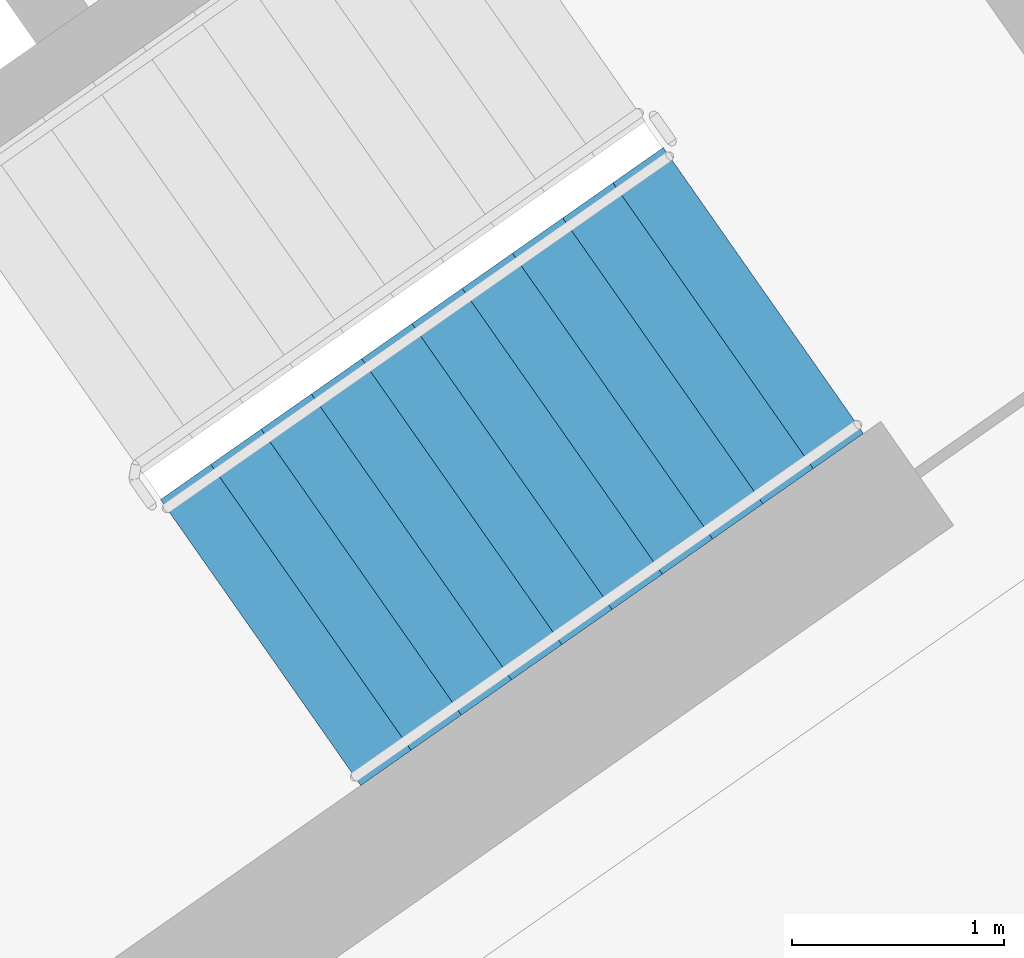
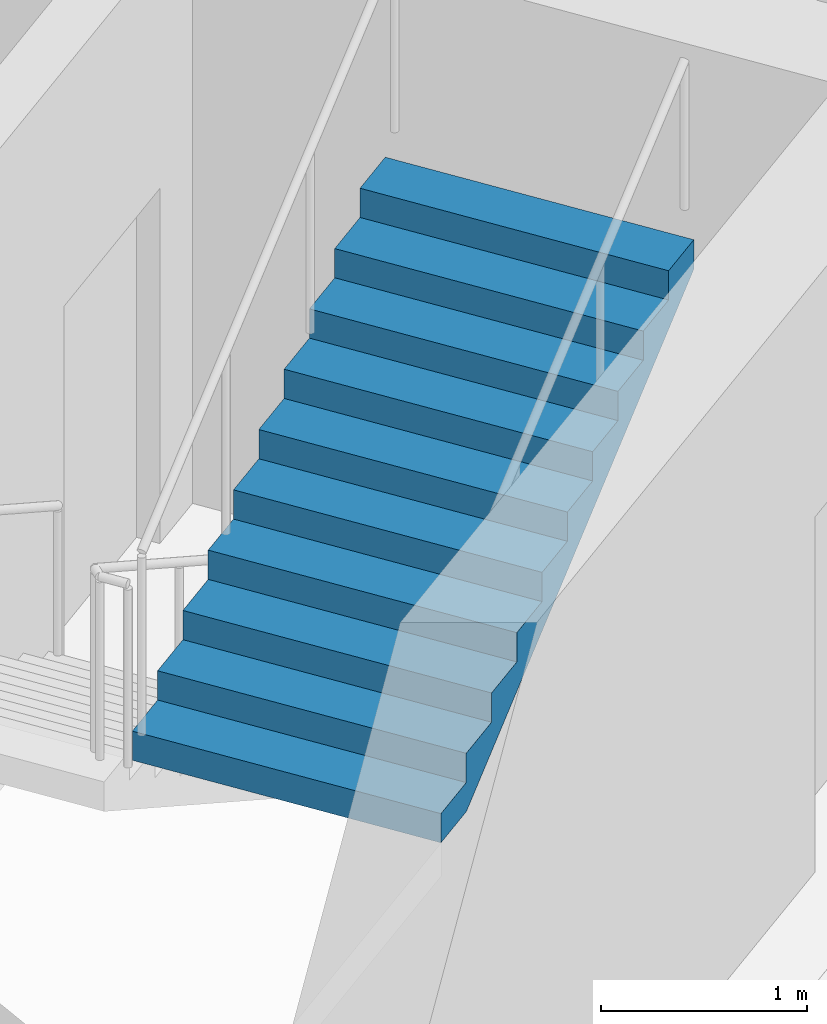
# One storey, part 12 of 30: 1 stair flight, 1 element without a shape of its own.
"""IFC4 building model written with IfcOpenShell, lengths in metres."""

from ifc_helpers import new_model, si_unit, direction, frame, origin, place, context, subcontext, project, spatial, faceted_brep, material, type_object, element, aggregate, save


model = new_model("IFC4")

# Units and contexts
model_context = context("Model", 3, precision=1e-05, world=origin(), true_north=direction((0.0, 1.0)))
body_context = subcontext(model_context, "Body", "Model", "MODEL_VIEW")
ifc_project = project(units=[si_unit("LENGTHUNIT", "METRE"), si_unit("AREAUNIT", "SQUARE_METRE"), si_unit("VOLUMEUNIT", "CUBIC_METRE"), si_unit("PLANEANGLEUNIT", "RADIAN"), si_unit("MASSUNIT", "GRAM", prefix="KILO")], contexts=[model_context])

# Site, building, storey
site_placement = place(None, origin())
site = spatial("IfcSite", under=ifc_project, at=site_placement, CompositionType="ELEMENT")
building_placement = place(site_placement, origin())
building = spatial("IfcBuilding", under=site, at=building_placement, Name="Qamariyya Broadcast Tower", CompositionType="ELEMENT")
storey_placement = place(building_placement, frame((0.0, 0.0, 203.699951171875)))
storey = spatial("IfcBuildingStorey", under=building, at=storey_placement, Name="L48", CompositionType="ELEMENT", Elevation=203.699951171875)

# Stair, stair flight
ifc_material = material(Name="Concrete C50/60", Category="concrete")
stair_type = type_object("IfcStairType", Name="Exit stair 22 risers of 173 mm", PredefinedType="HALF_TURN_STAIR", material=ifc_material)
stair_placement = place(storey_placement, origin())
stair = element("IfcStair", 1, at=stair_placement, inside=storey, type_object=stair_type, Name="L48 Stair E1", PredefinedType="HALF_TURN_STAIR")
stair_flight_type = type_object("IfcStairFlightType", Name="Exit stair flight 11 risers of 173 mm", PredefinedType="STRAIGHT", material=ifc_material)
stair_flight_placement = place(storey_placement, frame((44.693359375, -58.64599609375, 1.900146484375), z_axis=(0.0, 0.0, 1.0), x_axis=(0.819152044289, 0.573576436351, 0.0)))
stair_flight = element("IfcStairFlight", 2, at=stair_flight_placement, type_object=stair_flight_type, Name="ST-E1 flight 2", NumberOfRisers=11, NumberOfTreads=10, PredefinedType="STRAIGHT", RiserHeight=0.172727273, TreadLength=0.29, context=body_context, shape_type="Brep", body=[
    faceted_brep([(0.0, 0.824951171875, 0.0), (0.0, 0.824951171875, 0.172607421875), (0.2900390625, 0.824951171875, 0.172607421875), (0.2900390625, 0.824951171875, 0.345458984375), (0.580078125, 0.824951171875, 0.345458984375), (0.580078125, 0.824951171875, 0.51806640625), (0.8701171875, 0.824951171875, 0.51806640625), (0.8701171875, 0.824951171875, 0.69091796875), (1.159912109375, 0.824951171875, 0.69091796875), (1.159912109375, 0.824951171875, 0.863525390625), (1.449951171875, 0.824951171875, 0.863525390625), (1.449951171875, 0.824951171875, 1.036376953125), (1.739990234375, 0.824951171875, 1.036376953125), (1.739990234375, 0.824951171875, 1.208984375), (2.030029296875, 0.824951171875, 1.208984375), (2.030029296875, 0.824951171875, 1.3818359375), (2.320068359375, 0.824951171875, 1.3818359375), (2.320068359375, 0.824951171875, 1.554443359375), (2.610107421875, 0.824951171875, 1.554443359375), (2.610107421875, 0.824951171875, 1.727294921875), (2.89990234375, 0.824951171875, 1.727294921875), (2.89990234375, 0.824951171875, 1.552734375), (0.29296875, 0.824951171875, 0.0), (0.29296875, -0.824951171875, 0.0), (2.89990234375, -0.824951171875, 1.552734375), (2.89990234375, -0.824951171875, 1.727294921875), (2.610107421875, -0.824951171875, 1.727294921875), (2.610107421875, -0.824951171875, 1.554443359375), (2.320068359375, -0.824951171875, 1.554443359375), (2.320068359375, -0.824951171875, 1.3818359375), (2.030029296875, -0.824951171875, 1.3818359375), (2.030029296875, -0.824951171875, 1.208984375), (1.739990234375, -0.824951171875, 1.208984375), (1.739990234375, -0.824951171875, 1.036376953125), (1.449951171875, -0.824951171875, 1.036376953125), (1.449951171875, -0.824951171875, 0.863525390625), (1.159912109375, -0.824951171875, 0.863525390625), (1.159912109375, -0.824951171875, 0.69091796875), (0.8701171875, -0.824951171875, 0.69091796875), (0.8701171875, -0.824951171875, 0.51806640625), (0.580078125, -0.824951171875, 0.51806640625), (0.580078125, -0.824951171875, 0.345458984375), (0.2900390625, -0.824951171875, 0.345458984375), (0.2900390625, -0.824951171875, 0.172607421875), (0.0, -0.824951171875, 0.172607421875), (0.0, -0.824951171875, 0.0), (0.0, 0.10009765625, 0.0), (0.0, 0.086669921875, 0.0), (0.0, 0.0732421875, 0.0), (0.0, 0.06005859375, 0.0), (0.0, 0.046630859375, 0.0), (0.0, 0.033447265625, 0.0), (0.0, 0.02001953125, 0.0), (0.0, 0.006591796875, 0.0), (0.0, -0.006591796875, 0.0), (0.0, -0.02001953125, 0.0), (0.0, -0.033447265625, 0.0), (0.0, -0.046630859375, 0.0), (0.0, -0.06005859375, 0.0), (0.0, -0.0732421875, 0.0), (0.0, -0.086669921875, 0.0), (0.0, -0.10009765625, 0.0), (0.0, -0.10009765625, 0.172607421875), (0.0, -0.086669921875, 0.172607421875), (0.0, -0.0732421875, 0.172607421875), (0.0, -0.06005859375, 0.172607421875), (0.0, -0.046630859375, 0.172607421875), (0.0, -0.033447265625, 0.172607421875), (0.0, -0.02001953125, 0.172607421875), (0.0, -0.006591796875, 0.172607421875), (0.0, 0.006591796875, 0.172607421875), (0.0, 0.02001953125, 0.172607421875), (0.0, 0.033447265625, 0.172607421875), (0.0, 0.046630859375, 0.172607421875), (0.0, 0.06005859375, 0.172607421875), (0.0, 0.0732421875, 0.172607421875), (0.0, 0.086669921875, 0.172607421875), (0.0, 0.10009765625, 0.172607421875), (0.2900390625, -0.10009765625, 0.172607421875), (0.2900390625, -0.086669921875, 0.172607421875), (0.2900390625, -0.0732421875, 0.172607421875), (0.2900390625, -0.06005859375, 0.172607421875), (0.2900390625, -0.046630859375, 0.172607421875), (0.2900390625, -0.033447265625, 0.172607421875), (0.2900390625, -0.02001953125, 0.172607421875), (0.2900390625, -0.006591796875, 0.172607421875), (0.2900390625, 0.006591796875, 0.172607421875), (0.2900390625, 0.02001953125, 0.172607421875), (0.2900390625, 0.033447265625, 0.172607421875), (0.2900390625, 0.046630859375, 0.172607421875), (0.2900390625, 0.06005859375, 0.172607421875), (0.2900390625, 0.0732421875, 0.172607421875), (0.2900390625, 0.086669921875, 0.172607421875), (0.2900390625, 0.10009765625, 0.172607421875), (0.2900390625, -0.10009765625, 0.345458984375), (0.2900390625, -0.086669921875, 0.345458984375), (0.2900390625, -0.0732421875, 0.345458984375), (0.2900390625, -0.06005859375, 0.345458984375), (0.2900390625, -0.046630859375, 0.345458984375), (0.2900390625, -0.033447265625, 0.345458984375), (0.2900390625, -0.02001953125, 0.345458984375), (0.2900390625, -0.006591796875, 0.345458984375), (0.2900390625, 0.006591796875, 0.345458984375), (0.2900390625, 0.02001953125, 0.345458984375), (0.2900390625, 0.033447265625, 0.345458984375), (0.2900390625, 0.046630859375, 0.345458984375), (0.2900390625, 0.06005859375, 0.345458984375), (0.2900390625, 0.0732421875, 0.345458984375), (0.2900390625, 0.086669921875, 0.345458984375), (0.2900390625, 0.10009765625, 0.345458984375), (0.580078125, -0.10009765625, 0.345458984375), (0.580078125, -0.086669921875, 0.345458984375), (0.580078125, -0.0732421875, 0.345458984375), (0.580078125, -0.06005859375, 0.345458984375), (0.580078125, -0.046630859375, 0.345458984375), (0.580078125, -0.033447265625, 0.345458984375), (0.580078125, -0.02001953125, 0.345458984375), (0.580078125, -0.006591796875, 0.345458984375), (0.580078125, 0.006591796875, 0.345458984375), (0.580078125, 0.02001953125, 0.345458984375), (0.580078125, 0.033447265625, 0.345458984375), (0.580078125, 0.046630859375, 0.345458984375), (0.580078125, 0.06005859375, 0.345458984375), (0.580078125, 0.0732421875, 0.345458984375), (0.580078125, 0.086669921875, 0.345458984375), (0.580078125, 0.10009765625, 0.345458984375), (0.580078125, -0.10009765625, 0.51806640625), (0.580078125, -0.086669921875, 0.51806640625), (0.580078125, -0.0732421875, 0.51806640625), (0.580078125, -0.06005859375, 0.51806640625), (0.580078125, -0.046630859375, 0.51806640625), (0.580078125, -0.033447265625, 0.51806640625), (0.580078125, -0.02001953125, 0.51806640625), (0.580078125, -0.006591796875, 0.51806640625), (0.580078125, 0.006591796875, 0.51806640625), (0.580078125, 0.02001953125, 0.51806640625), (0.580078125, 0.033447265625, 0.51806640625), (0.580078125, 0.046630859375, 0.51806640625), (0.580078125, 0.06005859375, 0.51806640625), (0.580078125, 0.0732421875, 0.51806640625), (0.580078125, 0.086669921875, 0.51806640625), (0.580078125, 0.10009765625, 0.51806640625), (0.8701171875, -0.10009765625, 0.51806640625), (0.8701171875, -0.086669921875, 0.51806640625), (0.8701171875, -0.0732421875, 0.51806640625), (0.8701171875, -0.06005859375, 0.51806640625), (0.8701171875, -0.046630859375, 0.51806640625), (0.8701171875, -0.033447265625, 0.51806640625), (0.8701171875, -0.02001953125, 0.51806640625), (0.8701171875, -0.006591796875, 0.51806640625), (0.8701171875, 0.006591796875, 0.51806640625), (0.8701171875, 0.02001953125, 0.51806640625), (0.8701171875, 0.033447265625, 0.51806640625), (0.8701171875, 0.046630859375, 0.51806640625), (0.8701171875, 0.06005859375, 0.51806640625), (0.8701171875, 0.0732421875, 0.51806640625), (0.8701171875, 0.086669921875, 0.51806640625), (0.8701171875, 0.10009765625, 0.51806640625), (0.8701171875, -0.10009765625, 0.69091796875), (0.8701171875, -0.086669921875, 0.69091796875), (0.8701171875, -0.0732421875, 0.69091796875), (0.8701171875, -0.06005859375, 0.69091796875), (0.8701171875, -0.046630859375, 0.69091796875), (0.8701171875, -0.033447265625, 0.69091796875), (0.8701171875, -0.02001953125, 0.69091796875), (0.8701171875, -0.006591796875, 0.69091796875), (0.8701171875, 0.006591796875, 0.69091796875), (0.8701171875, 0.02001953125, 0.69091796875), (0.8701171875, 0.033447265625, 0.69091796875), (0.8701171875, 0.046630859375, 0.69091796875), (0.8701171875, 0.06005859375, 0.69091796875), (0.8701171875, 0.0732421875, 0.69091796875), (0.8701171875, 0.086669921875, 0.69091796875), (0.8701171875, 0.10009765625, 0.69091796875), (1.159912109375, -0.10009765625, 0.69091796875), (1.159912109375, -0.086669921875, 0.69091796875), (1.159912109375, -0.0732421875, 0.69091796875), (1.159912109375, -0.06005859375, 0.69091796875), (1.159912109375, -0.046630859375, 0.69091796875), (1.159912109375, -0.033447265625, 0.69091796875), (1.159912109375, -0.02001953125, 0.69091796875), (1.159912109375, -0.006591796875, 0.69091796875), (1.159912109375, 0.006591796875, 0.69091796875), (1.159912109375, 0.02001953125, 0.69091796875), (1.159912109375, 0.033447265625, 0.69091796875), (1.159912109375, 0.046630859375, 0.69091796875), (1.159912109375, 0.06005859375, 0.69091796875), (1.159912109375, 0.0732421875, 0.69091796875), (1.159912109375, 0.086669921875, 0.69091796875), (1.159912109375, 0.10009765625, 0.69091796875), (1.159912109375, -0.10009765625, 0.863525390625), (1.159912109375, -0.086669921875, 0.863525390625), (1.159912109375, -0.0732421875, 0.863525390625), (1.159912109375, -0.06005859375, 0.863525390625), (1.159912109375, -0.046630859375, 0.863525390625), (1.159912109375, -0.033447265625, 0.863525390625), (1.159912109375, -0.02001953125, 0.863525390625), (1.159912109375, -0.006591796875, 0.863525390625), (1.159912109375, 0.006591796875, 0.863525390625), (1.159912109375, 0.02001953125, 0.863525390625), (1.159912109375, 0.033447265625, 0.863525390625), (1.159912109375, 0.046630859375, 0.863525390625), (1.159912109375, 0.06005859375, 0.863525390625), (1.159912109375, 0.0732421875, 0.863525390625), (1.159912109375, 0.086669921875, 0.863525390625), (1.159912109375, 0.10009765625, 0.863525390625), (1.449951171875, -0.10009765625, 0.863525390625), (1.449951171875, -0.086669921875, 0.863525390625), (1.449951171875, -0.0732421875, 0.863525390625), (1.449951171875, -0.06005859375, 0.863525390625), (1.449951171875, -0.046630859375, 0.863525390625), (1.449951171875, -0.033447265625, 0.863525390625), (1.449951171875, -0.02001953125, 0.863525390625), (1.449951171875, -0.006591796875, 0.863525390625), (1.449951171875, 0.006591796875, 0.863525390625), (1.449951171875, 0.02001953125, 0.863525390625), (1.449951171875, 0.033447265625, 0.863525390625), (1.449951171875, 0.046630859375, 0.863525390625), (1.449951171875, 0.06005859375, 0.863525390625), (1.449951171875, 0.0732421875, 0.863525390625), (1.449951171875, 0.086669921875, 0.863525390625), (1.449951171875, 0.10009765625, 0.863525390625), (1.449951171875, -0.10009765625, 1.036376953125), (1.449951171875, -0.086669921875, 1.036376953125), (1.449951171875, -0.0732421875, 1.036376953125), (1.449951171875, -0.06005859375, 1.036376953125), (1.449951171875, -0.046630859375, 1.036376953125), (1.449951171875, -0.033447265625, 1.036376953125), (1.449951171875, -0.02001953125, 1.036376953125), (1.449951171875, -0.006591796875, 1.036376953125), (1.449951171875, 0.006591796875, 1.036376953125), (1.449951171875, 0.02001953125, 1.036376953125), (1.449951171875, 0.033447265625, 1.036376953125), (1.449951171875, 0.046630859375, 1.036376953125), (1.449951171875, 0.06005859375, 1.036376953125), (1.449951171875, 0.0732421875, 1.036376953125), (1.449951171875, 0.086669921875, 1.036376953125), (1.449951171875, 0.10009765625, 1.036376953125), (1.739990234375, -0.10009765625, 1.036376953125), (1.739990234375, -0.086669921875, 1.036376953125), (1.739990234375, -0.0732421875, 1.036376953125), (1.739990234375, -0.06005859375, 1.036376953125), (1.739990234375, -0.046630859375, 1.036376953125), (1.739990234375, -0.033447265625, 1.036376953125), (1.739990234375, -0.02001953125, 1.036376953125), (1.739990234375, -0.006591796875, 1.036376953125), (1.739990234375, 0.006591796875, 1.036376953125), (1.739990234375, 0.02001953125, 1.036376953125), (1.739990234375, 0.033447265625, 1.036376953125), (1.739990234375, 0.046630859375, 1.036376953125), (1.739990234375, 0.06005859375, 1.036376953125), (1.739990234375, 0.0732421875, 1.036376953125), (1.739990234375, 0.086669921875, 1.036376953125), (1.739990234375, 0.10009765625, 1.036376953125), (1.739990234375, -0.10009765625, 1.208984375), (1.739990234375, -0.086669921875, 1.208984375), (1.739990234375, -0.0732421875, 1.208984375), (1.739990234375, -0.06005859375, 1.208984375), (1.739990234375, -0.046630859375, 1.208984375), (1.739990234375, -0.033447265625, 1.208984375), (1.739990234375, -0.02001953125, 1.208984375), (1.739990234375, -0.006591796875, 1.208984375), (1.739990234375, 0.006591796875, 1.208984375), (1.739990234375, 0.02001953125, 1.208984375), (1.739990234375, 0.033447265625, 1.208984375), (1.739990234375, 0.046630859375, 1.208984375), (1.739990234375, 0.06005859375, 1.208984375), (1.739990234375, 0.0732421875, 1.208984375), (1.739990234375, 0.086669921875, 1.208984375), (1.739990234375, 0.10009765625, 1.208984375), (2.030029296875, -0.10009765625, 1.208984375), (2.030029296875, -0.086669921875, 1.208984375), (2.030029296875, -0.0732421875, 1.208984375), (2.030029296875, -0.06005859375, 1.208984375), (2.030029296875, -0.046630859375, 1.208984375), (2.030029296875, -0.033447265625, 1.208984375), (2.030029296875, -0.02001953125, 1.208984375), (2.030029296875, -0.006591796875, 1.208984375), (2.030029296875, 0.006591796875, 1.208984375), (2.030029296875, 0.02001953125, 1.208984375), (2.030029296875, 0.033447265625, 1.208984375), (2.030029296875, 0.046630859375, 1.208984375), (2.030029296875, 0.06005859375, 1.208984375), (2.030029296875, 0.0732421875, 1.208984375), (2.030029296875, 0.086669921875, 1.208984375), (2.030029296875, 0.10009765625, 1.208984375), (2.030029296875, -0.10009765625, 1.3818359375), (2.030029296875, -0.086669921875, 1.3818359375), (2.030029296875, -0.0732421875, 1.3818359375), (2.030029296875, -0.06005859375, 1.3818359375), (2.030029296875, -0.046630859375, 1.3818359375), (2.030029296875, -0.033447265625, 1.3818359375), (2.030029296875, -0.02001953125, 1.3818359375), (2.030029296875, -0.006591796875, 1.3818359375), (2.030029296875, 0.006591796875, 1.3818359375), (2.030029296875, 0.02001953125, 1.3818359375), (2.030029296875, 0.033447265625, 1.3818359375), (2.030029296875, 0.046630859375, 1.3818359375), (2.030029296875, 0.06005859375, 1.3818359375), (2.030029296875, 0.0732421875, 1.3818359375), (2.030029296875, 0.086669921875, 1.3818359375), (2.030029296875, 0.10009765625, 1.3818359375), (2.320068359375, -0.10009765625, 1.3818359375), (2.320068359375, -0.086669921875, 1.3818359375), (2.320068359375, -0.0732421875, 1.3818359375), (2.320068359375, -0.06005859375, 1.3818359375), (2.320068359375, -0.046630859375, 1.3818359375), (2.320068359375, -0.033447265625, 1.3818359375), (2.320068359375, -0.02001953125, 1.3818359375), (2.320068359375, -0.006591796875, 1.3818359375), (2.320068359375, 0.006591796875, 1.3818359375), (2.320068359375, 0.02001953125, 1.3818359375), (2.320068359375, 0.033447265625, 1.3818359375), (2.320068359375, 0.046630859375, 1.3818359375), (2.320068359375, 0.06005859375, 1.3818359375), (2.320068359375, 0.0732421875, 1.3818359375), (2.320068359375, 0.086669921875, 1.3818359375), (2.320068359375, 0.10009765625, 1.3818359375), (2.320068359375, -0.10009765625, 1.554443359375), (2.320068359375, -0.086669921875, 1.554443359375), (2.320068359375, -0.0732421875, 1.554443359375), (2.320068359375, -0.06005859375, 1.554443359375), (2.320068359375, -0.046630859375, 1.554443359375), (2.320068359375, -0.033447265625, 1.554443359375), (2.320068359375, -0.02001953125, 1.554443359375), (2.320068359375, -0.006591796875, 1.554443359375), (2.320068359375, 0.006591796875, 1.554443359375), (2.320068359375, 0.02001953125, 1.554443359375), (2.320068359375, 0.033447265625, 1.554443359375), (2.320068359375, 0.046630859375, 1.554443359375), (2.320068359375, 0.06005859375, 1.554443359375), (2.320068359375, 0.0732421875, 1.554443359375), (2.320068359375, 0.086669921875, 1.554443359375), (2.320068359375, 0.10009765625, 1.554443359375), (2.610107421875, -0.10009765625, 1.554443359375), (2.610107421875, -0.086669921875, 1.554443359375), (2.610107421875, -0.0732421875, 1.554443359375), (2.610107421875, -0.06005859375, 1.554443359375), (2.610107421875, -0.046630859375, 1.554443359375), (2.610107421875, -0.033447265625, 1.554443359375), (2.610107421875, -0.02001953125, 1.554443359375), (2.610107421875, -0.006591796875, 1.554443359375), (2.610107421875, 0.006591796875, 1.554443359375), (2.610107421875, 0.02001953125, 1.554443359375), (2.610107421875, 0.033447265625, 1.554443359375), (2.610107421875, 0.046630859375, 1.554443359375), (2.610107421875, 0.06005859375, 1.554443359375), (2.610107421875, 0.0732421875, 1.554443359375), (2.610107421875, 0.086669921875, 1.554443359375), (2.610107421875, 0.10009765625, 1.554443359375), (2.610107421875, -0.10009765625, 1.727294921875), (2.610107421875, -0.086669921875, 1.727294921875), (2.610107421875, -0.0732421875, 1.727294921875), (2.610107421875, -0.06005859375, 1.727294921875), (2.610107421875, -0.046630859375, 1.727294921875), (2.610107421875, -0.033447265625, 1.727294921875), (2.610107421875, -0.02001953125, 1.727294921875), (2.610107421875, -0.006591796875, 1.727294921875), (2.610107421875, 0.006591796875, 1.727294921875), (2.610107421875, 0.02001953125, 1.727294921875), (2.610107421875, 0.033447265625, 1.727294921875), (2.610107421875, 0.046630859375, 1.727294921875), (2.610107421875, 0.06005859375, 1.727294921875), (2.610107421875, 0.0732421875, 1.727294921875), (2.610107421875, 0.086669921875, 1.727294921875), (2.610107421875, 0.10009765625, 1.727294921875), (2.89990234375, -0.10009765625, 1.727294921875), (2.89990234375, -0.086669921875, 1.727294921875), (2.89990234375, -0.0732421875, 1.727294921875), (2.89990234375, -0.06005859375, 1.727294921875), (2.89990234375, -0.046630859375, 1.727294921875), (2.89990234375, -0.033447265625, 1.727294921875), (2.89990234375, -0.02001953125, 1.727294921875), (2.89990234375, -0.006591796875, 1.727294921875), (2.89990234375, 0.006591796875, 1.727294921875), (2.89990234375, 0.02001953125, 1.727294921875), (2.89990234375, 0.033447265625, 1.727294921875), (2.89990234375, 0.046630859375, 1.727294921875), (2.89990234375, 0.06005859375, 1.727294921875), (2.89990234375, 0.0732421875, 1.727294921875), (2.89990234375, 0.086669921875, 1.727294921875), (2.89990234375, 0.10009765625, 1.727294921875), (2.89990234375, -0.10009765625, 1.552734375), (2.89990234375, -0.086669921875, 1.552734375), (2.89990234375, -0.0732421875, 1.552734375), (2.89990234375, -0.06005859375, 1.552734375), (2.89990234375, -0.046630859375, 1.552734375), (2.89990234375, -0.033447265625, 1.552734375), (2.89990234375, -0.02001953125, 1.552734375), (2.89990234375, -0.006591796875, 1.552734375), (2.89990234375, 0.006591796875, 1.552734375), (2.89990234375, 0.02001953125, 1.552734375), (2.89990234375, 0.033447265625, 1.552734375), (2.89990234375, 0.046630859375, 1.552734375), (2.89990234375, 0.06005859375, 1.552734375), (2.89990234375, 0.0732421875, 1.552734375), (2.89990234375, 0.086669921875, 1.552734375), (2.89990234375, 0.10009765625, 1.552734375), (0.29296875, -0.10009765625, 0.0), (0.29296875, -0.086669921875, 0.0), (0.29296875, -0.0732421875, 0.0), (0.29296875, -0.06005859375, 0.0), (0.29296875, -0.046630859375, 0.0), (0.29296875, -0.033447265625, 0.0), (0.29296875, -0.02001953125, 0.0), (0.29296875, -0.006591796875, 0.0), (0.29296875, 0.006591796875, 0.0), (0.29296875, 0.02001953125, 0.0), (0.29296875, 0.033447265625, 0.0), (0.29296875, 0.046630859375, 0.0), (0.29296875, 0.06005859375, 0.0), (0.29296875, 0.0732421875, 0.0), (0.29296875, 0.086669921875, 0.0), (0.29296875, 0.10009765625, 0.0)], [[[0, 1, 2, 3, 4, 5, 6, 7, 8, 9, 10, 11, 12, 13, 14, 15, 16, 17, 18, 19, 20, 21, 22]], [[23, 24, 25, 26, 27, 28, 29, 30, 31, 32, 33, 34, 35, 36, 37, 38, 39, 40, 41, 42, 43, 44, 45]], [[0, 46, 47, 48, 49, 50, 51, 52, 53, 54, 55, 56, 57, 58, 59, 60, 61, 45, 44, 62, 63, 64, 65, 66, 67, 68, 69, 70, 71, 72, 73, 74, 75, 76, 77, 1]], [[1, 77, 76, 75, 74, 73, 72, 71, 70, 69, 68, 67, 66, 65, 64, 63, 62, 44, 43, 78, 79, 80, 81, 82, 83, 84, 85, 86, 87, 88, 89, 90, 91, 92, 93, 2]], [[2, 93, 92, 91, 90, 89, 88, 87, 86, 85, 84, 83, 82, 81, 80, 79, 78, 43, 42, 94, 95, 96, 97, 98, 99, 100, 101, 102, 103, 104, 105, 106, 107, 108, 109, 3]], [[3, 109, 108, 107, 106, 105, 104, 103, 102, 101, 100, 99, 98, 97, 96, 95, 94, 42, 41, 110, 111, 112, 113, 114, 115, 116, 117, 118, 119, 120, 121, 122, 123, 124, 125, 4]], [[4, 125, 124, 123, 122, 121, 120, 119, 118, 117, 116, 115, 114, 113, 112, 111, 110, 41, 40, 126, 127, 128, 129, 130, 131, 132, 133, 134, 135, 136, 137, 138, 139, 140, 141, 5]], [[5, 141, 140, 139, 138, 137, 136, 135, 134, 133, 132, 131, 130, 129, 128, 127, 126, 40, 39, 142, 143, 144, 145, 146, 147, 148, 149, 150, 151, 152, 153, 154, 155, 156, 157, 6]], [[6, 157, 156, 155, 154, 153, 152, 151, 150, 149, 148, 147, 146, 145, 144, 143, 142, 39, 38, 158, 159, 160, 161, 162, 163, 164, 165, 166, 167, 168, 169, 170, 171, 172, 173, 7]], [[7, 173, 172, 171, 170, 169, 168, 167, 166, 165, 164, 163, 162, 161, 160, 159, 158, 38, 37, 174, 175, 176, 177, 178, 179, 180, 181, 182, 183, 184, 185, 186, 187, 188, 189, 8]], [[8, 189, 188, 187, 186, 185, 184, 183, 182, 181, 180, 179, 178, 177, 176, 175, 174, 37, 36, 190, 191, 192, 193, 194, 195, 196, 197, 198, 199, 200, 201, 202, 203, 204, 205, 9]], [[9, 205, 204, 203, 202, 201, 200, 199, 198, 197, 196, 195, 194, 193, 192, 191, 190, 36, 35, 206, 207, 208, 209, 210, 211, 212, 213, 214, 215, 216, 217, 218, 219, 220, 221, 10]], [[10, 221, 220, 219, 218, 217, 216, 215, 214, 213, 212, 211, 210, 209, 208, 207, 206, 35, 34, 222, 223, 224, 225, 226, 227, 228, 229, 230, 231, 232, 233, 234, 235, 236, 237, 11]], [[11, 237, 236, 235, 234, 233, 232, 231, 230, 229, 228, 227, 226, 225, 224, 223, 222, 34, 33, 238, 239, 240, 241, 242, 243, 244, 245, 246, 247, 248, 249, 250, 251, 252, 253, 12]], [[12, 253, 252, 251, 250, 249, 248, 247, 246, 245, 244, 243, 242, 241, 240, 239, 238, 33, 32, 254, 255, 256, 257, 258, 259, 260, 261, 262, 263, 264, 265, 266, 267, 268, 269, 13]], [[13, 269, 268, 267, 266, 265, 264, 263, 262, 261, 260, 259, 258, 257, 256, 255, 254, 32, 31, 270, 271, 272, 273, 274, 275, 276, 277, 278, 279, 280, 281, 282, 283, 284, 285, 14]], [[14, 285, 284, 283, 282, 281, 280, 279, 278, 277, 276, 275, 274, 273, 272, 271, 270, 31, 30, 286, 287, 288, 289, 290, 291, 292, 293, 294, 295, 296, 297, 298, 299, 300, 301, 15]], [[15, 301, 300, 299, 298, 297, 296, 295, 294, 293, 292, 291, 290, 289, 288, 287, 286, 30, 29, 302, 303, 304, 305, 306, 307, 308, 309, 310, 311, 312, 313, 314, 315, 316, 317, 16]], [[16, 317, 316, 315, 314, 313, 312, 311, 310, 309, 308, 307, 306, 305, 304, 303, 302, 29, 28, 318, 319, 320, 321, 322, 323, 324, 325, 326, 327, 328, 329, 330, 331, 332, 333, 17]], [[17, 333, 332, 331, 330, 329, 328, 327, 326, 325, 324, 323, 322, 321, 320, 319, 318, 28, 27, 334, 335, 336, 337, 338, 339, 340, 341, 342, 343, 344, 345, 346, 347, 348, 349, 18]], [[18, 349, 348, 347, 346, 345, 344, 343, 342, 341, 340, 339, 338, 337, 336, 335, 334, 27, 26, 350, 351, 352, 353, 354, 355, 356, 357, 358, 359, 360, 361, 362, 363, 364, 365, 19]], [[19, 365, 364, 363, 362, 361, 360, 359, 358, 357, 356, 355, 354, 353, 352, 351, 350, 26, 25, 366, 367, 368, 369, 370, 371, 372, 373, 374, 375, 376, 377, 378, 379, 380, 381, 20]], [[20, 381, 380, 379, 378, 377, 376, 375, 374, 373, 372, 371, 370, 369, 368, 367, 366, 25, 24, 382, 383, 384, 385, 386, 387, 388, 389, 390, 391, 392, 393, 394, 395, 396, 397, 21]], [[21, 397, 396, 395, 394, 393, 392, 391, 390, 389, 388, 387, 386, 385, 384, 383, 382, 24, 23, 398, 399, 400, 401, 402, 403, 404, 405, 406, 407, 408, 409, 410, 411, 412, 413, 22]], [[22, 413, 412, 411, 410, 409, 408, 407, 406, 405, 404, 403, 402, 401, 400, 399, 398, 23, 45, 61, 60, 59, 58, 57, 56, 55, 54, 53, 52, 51, 50, 49, 48, 47, 46, 0]]]),
])
aggregate(stair, [stair_flight])

save(model, "model.ifc")
